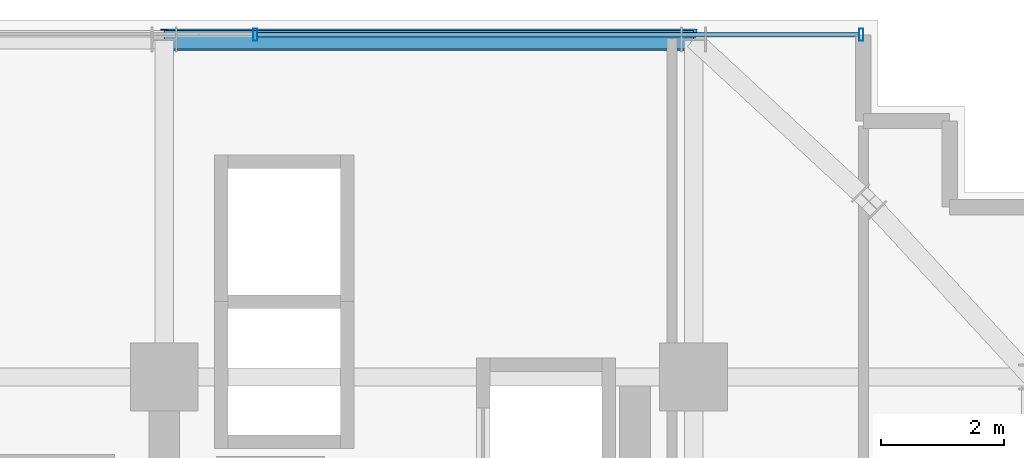
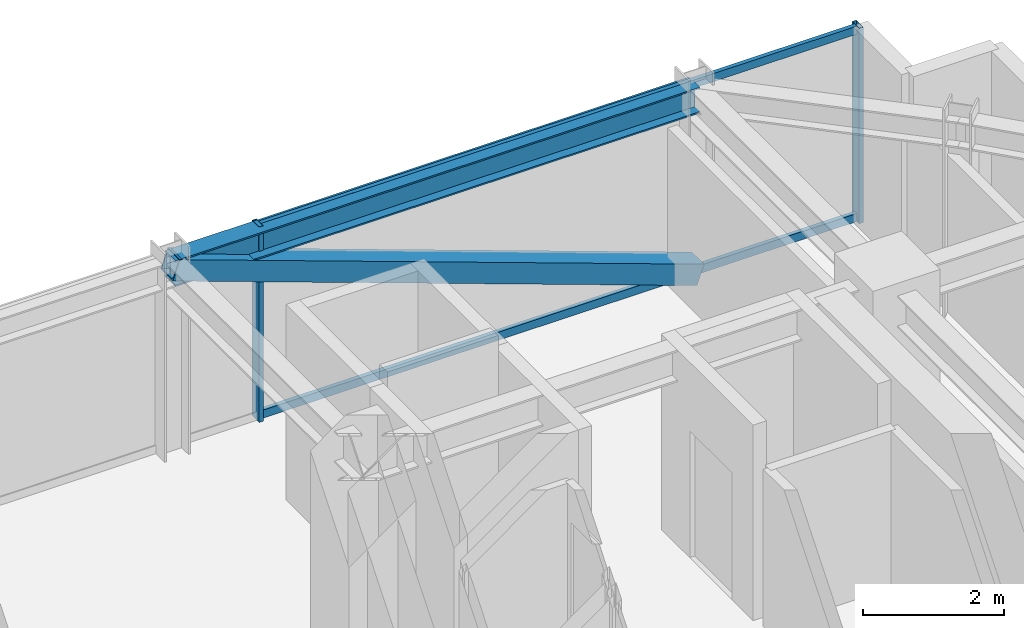
# One storey, part 29 of 38: 5 members, 1 beam, 1 element without a shape of its own.
"""IFC4 building model written with IfcOpenShell, lengths in metres."""

from ifc_helpers import new_model, si_unit, direction, frame, origin, origin_2d, place, context, subcontext, project, spatial, hollow_rectangle, i_section, extrude, source, transform, mapped, material, material_profile, profile_set, type_object, element, aggregate, save


model = new_model("IFC4")

# Units and contexts
model_context = context("Model", 3, precision=1e-05, world=origin(), true_north=direction((0.0, 1.0)))
body_context = subcontext(model_context, "Body", "Model", "MODEL_VIEW")
ifc_project = project(units=[si_unit("LENGTHUNIT", "METRE"), si_unit("AREAUNIT", "SQUARE_METRE"), si_unit("VOLUMEUNIT", "CUBIC_METRE"), si_unit("PLANEANGLEUNIT", "RADIAN"), si_unit("MASSUNIT", "GRAM", prefix="KILO")], contexts=[model_context])

# Site, building, storey
site_placement = place(None, origin())
site = spatial("IfcSite", under=ifc_project, at=site_placement, CompositionType="ELEMENT")
building_placement = place(site_placement, origin())
building = spatial("IfcBuilding", under=site, at=building_placement, Name="Nahalor Promenade Grand Hotel", CompositionType="ELEMENT")
storey_placement = place(building_placement, frame((0.0, 0.0, 178.199951171875)))
storey = spatial("IfcBuildingStorey", under=building, at=storey_placement, Name="L45", CompositionType="ELEMENT", Elevation=178.199951171875)

# Beam
ifc_material_1 = material(Name="Steel S355JR", Category="steel")
ifc_material_profile_1 = material_profile(ifc_material_1, i_section(OverallWidth=0.3, OverallDepth=0.45, WebThickness=0.014, FlangeThickness=0.026, at=origin_2d()), Name="HEB 450")
ifc_profile_set_1 = profile_set([ifc_material_profile_1], Name="Steel S355JR")
beam_type = type_object("IfcBeamType", Name="Beam-Spandrel-HEB450", PredefinedType="SPANDREL", material=ifc_profile_set_1)
shared_shape_1 = source(origin(), body_context, "Body", "SweptSolid", [
    extrude(i_section(OverallWidth=0.3, OverallDepth=0.45, WebThickness=0.014, FlangeThickness=0.026, at=origin_2d()), origin(), (0.0, 0.0, 1.0), 8.60009765625),
])
beam_placement = place(storey_placement, frame((8.39990234375, 22.47998046875, 3.1650390625), z_axis=(1.0, 0.0, 0.0), x_axis=(0.0, 1.0, 0.0)))
element("IfcBeam", 1, at=beam_placement, inside=storey, type_object=beam_type, Name="BM-L45-SP-N-4", PredefinedType="SPANDREL", context=body_context, shape_type="MappedRepresentation", body=[
    mapped(shared_shape_1, transform((0.0, 0.0, 0.0), scale=1.0)),
])

# Member
ifc_material_profile_2 = material_profile(ifc_material_1, hollow_rectangle(XDim=0.35, YDim=0.35, WallThickness=0.02, at=origin_2d()), Name="SHS 350x350x20")
ifc_profile_set_2 = profile_set([ifc_material_profile_2], Name="Steel S355JR")
member_type_1 = type_object("IfcMemberType", Name="Mem-VoidBrace-SHS350", PredefinedType="BRACE", material=ifc_profile_set_2)
shared_shape_2 = source(origin(), body_context, "Body", "SweptSolid", [
    extrude(hollow_rectangle(XDim=0.35, YDim=0.35, WallThickness=0.02, at=origin_2d()), origin(), (0.0, 0.0, 1.0), 9.138427734375),
])
member_1_placement = place(storey_placement, frame((17.0, 22.47998046875, 0.150146484375), z_axis=(-0.941103144716, 0.0, 0.338119610501), x_axis=(0.0, -1.0, 0.0)))
element("IfcMember", 2, at=member_1_placement, inside=storey, type_object=member_type_1, Name="EXO-L45-N-1", PredefinedType="BRACE", context=body_context, shape_type="MappedRepresentation", body=[
    mapped(shared_shape_2, transform((0.0, 0.0, 0.0), scale=1.0)),
])

# Curtain wall, members
ifc_material_2 = material(Name="Anodised Bronze Aluminium EN AW-6063 T6", Category="aluminium")
curtain_wall_type = type_object("IfcCurtainWallType", Name="CW3 Elliptical-Void Collar Unitised Curtain Wall", PredefinedType="USERDEFINED", material=ifc_material_2)
curtain_wall_placement = place(storey_placement, origin())
curtain_wall = element("IfcCurtainWall", 3, at=curtain_wall_placement, inside=storey, type_object=curtain_wall_type, Name="L45 Curtain Wall CW-L45-N-1", ObjectType="UNITISED_CURTAIN_WALL", PredefinedType="USERDEFINED")
ifc_material_profile_3 = material_profile(ifc_material_2, hollow_rectangle(XDim=0.07, YDim=0.2, WallThickness=0.005, at=origin_2d()), Name="CWM 70x200x5")
ifc_profile_set_3 = profile_set([ifc_material_profile_3], Name="Anodised Bronze Aluminium EN AW-6063 T6")
member_type_2 = type_object("IfcMemberType", Name="CWM3 Void Collar Mullion 70x200", PredefinedType="MULLION", material=ifc_profile_set_3)
shared_shape_3 = source(origin(), body_context, "Body", "SweptSolid", [
    extrude(hollow_rectangle(XDim=0.07, YDim=0.2, WallThickness=0.005, at=origin_2d()), origin(), (0.0, 0.0, 1.0), 3.39013671875),
])
member_2_placement = place(storey_placement, frame((9.8798828125, 22.56005859375, 0.0), z_axis=(0.0, 0.0, 1.0), x_axis=(1.0, 0.0, 0.0)))
member_2 = element("IfcMember", 4, at=member_2_placement, type_object=member_type_2, Name="CW-L45-N-1 Mullion 3", PredefinedType="MULLION", context=body_context, shape_type="MappedRepresentation", body=[
    mapped(shared_shape_3, transform((0.0, 0.0, 0.0), scale=1.0)),
])
member_3_placement = place(storey_placement, frame((19.72509765625, 22.56005859375, 0.0), z_axis=(0.0, 0.0, 1.0), x_axis=(1.0, 0.0, 0.0)))
member_3 = element("IfcMember", 5, at=member_3_placement, type_object=member_type_2, Name="CW-L45-N-1 Mullion 4", PredefinedType="MULLION", context=body_context, shape_type="MappedRepresentation", body=[
    mapped(shared_shape_3, transform((0.0, 0.0, 0.0), scale=1.0)),
])
ifc_material_profile_4 = material_profile(ifc_material_2, hollow_rectangle(XDim=0.07, YDim=0.14, WallThickness=0.004, at=origin_2d()), Name="CWT 70x140x4")
ifc_profile_set_4 = profile_set([ifc_material_profile_4], Name="Anodised Bronze Aluminium EN AW-6063 T6")
member_type_3 = type_object("IfcMemberType", Name="CWT3 Void Collar Transom 70x140", PredefinedType="USERDEFINED", material=ifc_profile_set_4)
shared_shape_4 = source(origin(), body_context, "Body", "SweptSolid", [
    extrude(hollow_rectangle(XDim=0.07, YDim=0.14, WallThickness=0.004, at=origin_2d()), origin(), (0.0, 0.0, 1.0), 9.77490234375),
])
member_4_placement = place(storey_placement, frame((9.9150390625, 22.56005859375, 0.070068359375), z_axis=(1.0, 0.0, 0.0), x_axis=(0.0, 1.0, 0.0)))
member_4 = element("IfcMember", 6, at=member_4_placement, type_object=member_type_3, Name="CW-L45-N-1 Transom 3-0", ObjectType="TRANSOM", PredefinedType="USERDEFINED", context=body_context, shape_type="MappedRepresentation", body=[
    mapped(shared_shape_4, transform((0.0, 0.0, 0.0), scale=1.0)),
])
member_5_placement = place(storey_placement, frame((9.9150390625, 22.56005859375, 3.320068359375), z_axis=(1.0, 0.0, 0.0), x_axis=(0.0, 1.0, 0.0)))
member_5 = element("IfcMember", 7, at=member_5_placement, type_object=member_type_3, Name="CW-L45-N-1 Transom 3-1", ObjectType="TRANSOM", PredefinedType="USERDEFINED", context=body_context, shape_type="MappedRepresentation", body=[
    mapped(shared_shape_4, transform((0.0, 0.0, 0.0), scale=1.0)),
])
aggregate(curtain_wall, [member_2, member_3, member_4, member_5])

save(model, "model.ifc")
